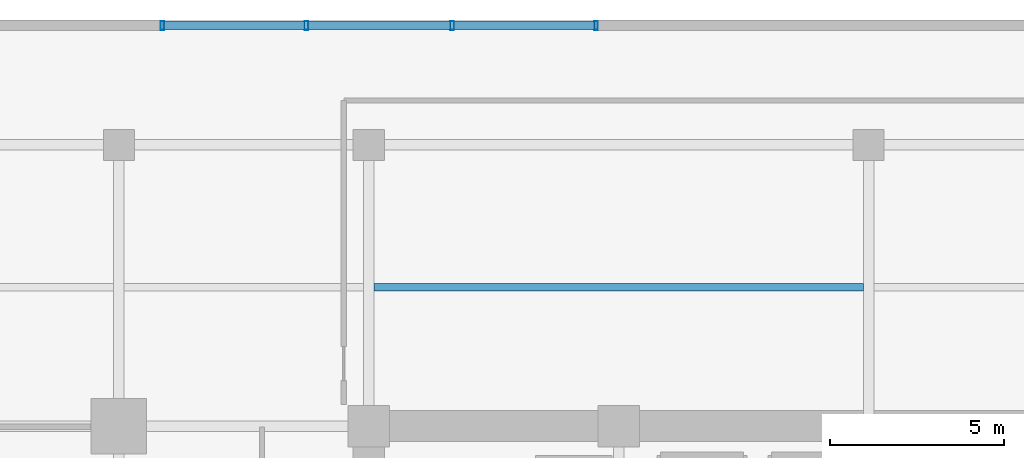
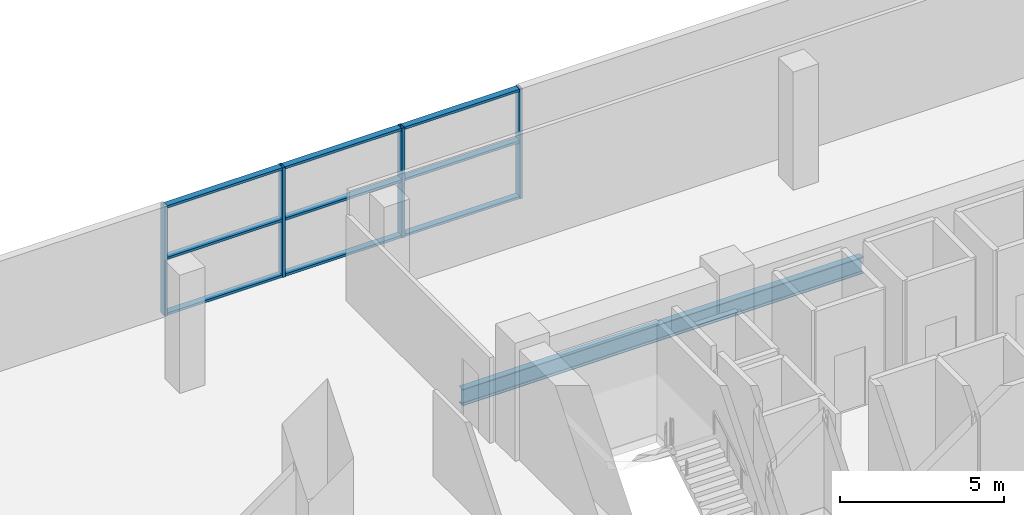
# One storey, part 8 of 21: 13 members, 1 beam, 1 element without a shape of its own.
"""IFC4 building model written with IfcOpenShell, lengths in metres."""

from ifc_helpers import new_model, si_unit, direction, frame, origin, origin_2d, place, context, subcontext, project, spatial, hollow_rectangle, i_section, extrude, source, transform, mapped, material, layer, layer_set, material_profile, profile_set, type_object, element, aggregate, save


model = new_model("IFC4")

# Units and contexts
model_context = context("Model", 3, precision=1e-05, world=origin(), true_north=direction((0.0, 1.0)))
body_context = subcontext(model_context, "Body", "Model", "MODEL_VIEW")
ifc_project = project(units=[si_unit("LENGTHUNIT", "METRE"), si_unit("AREAUNIT", "SQUARE_METRE"), si_unit("VOLUMEUNIT", "CUBIC_METRE"), si_unit("PLANEANGLEUNIT", "RADIAN"), si_unit("MASSUNIT", "GRAM", prefix="KILO")], contexts=[model_context])

# Site, building, storey
site_placement = place(None, origin())
site = spatial("IfcSite", under=ifc_project, at=site_placement, CompositionType="ELEMENT")
building_placement = place(site_placement, origin())
building = spatial("IfcBuilding", under=site, at=building_placement, Name="Zarnakvel Exchange Tower", CompositionType="ELEMENT")
storey_placement = place(building_placement, frame((0.0, 0.0, 5.0)))
storey = spatial("IfcBuildingStorey", under=building, at=storey_placement, Name="L01", CompositionType="ELEMENT", Elevation=5.0)

# Beam
ifc_material_1 = material(Name="Steel S355", Category="steel")
ifc_material_profile_1 = material_profile(ifc_material_1, i_section(OverallWidth=0.230224609375, OverallDepth=0.6171875, WebThickness=0.01318359375, FlangeThickness=0.022216796875, FilletRadius=0.0126953125, at=origin_2d()))
ifc_profile_set_1 = profile_set([ifc_material_profile_1], Name="Steel S355")
beam_type = type_object("IfcBeamType", Name="B-02", PredefinedType="JOIST", material=ifc_profile_set_1)
beam_placement = place(storey_placement, frame((-14.25, 17.5, -0.608642578125), z_axis=(1.0, 0.0, 0.0), x_axis=(0.0, 1.0, 0.0)))
element("IfcBeam", 1, at=beam_placement, inside=storey, type_object=beam_type, Name="L01 North Bay Secondary Floor Joist", PredefinedType="JOIST", context=body_context, shape_type="SweptSolid", body=[
    extrude(i_section(OverallWidth=0.230224609375, OverallDepth=0.6171875, WebThickness=0.01318359375, FlangeThickness=0.022216796875, FilletRadius=0.0126953125, at=origin_2d()), origin(), (0.0, 0.0, 1.0), 14.10009765625),
])

# Curtain wall, members
ifc_material_2 = material(Name="Architectural Bronze Anodised Aluminium", Category="aluminium")
ifc_layer = layer(ifc_material_2, 0.260009765625)
ifc_layer_set = layer_set([ifc_layer], Name="Architectural Bronze Anodised Aluminium")
curtain_wall_type = type_object("IfcCurtainWallType", Name="CW-01", PredefinedType="NOTDEFINED", material=ifc_layer_set)
curtain_wall_placement = place(storey_placement, origin())
curtain_wall = element("IfcCurtainWall", 2, at=curtain_wall_placement, inside=storey, type_object=curtain_wall_type, Name="L01 Curtain Wall CW-L01-N1 (CW-01)", PredefinedType="NOTDEFINED")
ifc_material_profile_2 = material_profile(ifc_material_2, hollow_rectangle(XDim=0.219970703125, YDim=0.090087890625, WallThickness=0.0048828125, at=origin_2d()))
ifc_profile_set_2 = profile_set([ifc_material_profile_2], Name="Architectural Bronze Anodised Aluminium")
member_type_1 = type_object("IfcMemberType", Name="CWT-01", PredefinedType="USERDEFINED", material=ifc_profile_set_2)
shared_shape_1 = source(origin(), body_context, "Body", "SweptSolid", [
    extrude(hollow_rectangle(XDim=0.219970703125, YDim=0.090087890625, WallThickness=0.0048828125, at=origin_2d()), origin(), (0.0, 0.0, 1.0), 4.050048828125),
])
member_1_placement = place(storey_placement, frame((-20.300048828125, 25.0400390625, 0.044921875), z_axis=(1.0, 0.0, 0.0), x_axis=(0.0, 1.0, 0.0)))
member_1 = element("IfcMember", 3, at=member_1_placement, type_object=member_type_1, Name="CW-01 transom 1.1", ObjectType="TRANSOM", PredefinedType="USERDEFINED", context=body_context, shape_type="MappedRepresentation", body=[
    mapped(shared_shape_1, transform((0.0, 0.0, 0.0), x_axis=(1.0, 0.0, 0.0), y_axis=(0.0, 1.0, 0.0), z_axis=(0.0, 0.0, 1.0), scale=1.0)),
])
member_2_placement = place(storey_placement, frame((-20.300048828125, 25.0400390625, 2.12158203125), z_axis=(1.0, 0.0, 0.0), x_axis=(0.0, 1.0, 0.0)))
member_2 = element("IfcMember", 4, at=member_2_placement, type_object=member_type_1, Name="CW-01 transom 1.2", ObjectType="TRANSOM", PredefinedType="USERDEFINED", context=body_context, shape_type="MappedRepresentation", body=[
    mapped(shared_shape_1, transform((0.0, 0.0, 0.0), x_axis=(1.0, 0.0, 0.0), y_axis=(0.0, 1.0, 0.0), z_axis=(0.0, 0.0, 1.0), scale=1.0)),
])
member_3_placement = place(storey_placement, frame((-20.300048828125, 25.0400390625, 4.034912109375), z_axis=(1.0, 0.0, 0.0), x_axis=(0.0, 1.0, 0.0)))
member_3 = element("IfcMember", 5, at=member_3_placement, type_object=member_type_1, Name="CW-01 transom 1.3", ObjectType="TRANSOM", PredefinedType="USERDEFINED", context=body_context, shape_type="MappedRepresentation", body=[
    mapped(shared_shape_1, transform((0.0, 0.0, 0.0), x_axis=(1.0, 0.0, 0.0), y_axis=(0.0, 1.0, 0.0), z_axis=(0.0, 0.0, 1.0), scale=1.0)),
])
member_4_placement = place(storey_placement, frame((-11.949951171875, 25.0400390625, 0.044921875), z_axis=(1.0, 0.0, 0.0), x_axis=(0.0, 1.0, 0.0)))
member_4 = element("IfcMember", 6, at=member_4_placement, type_object=member_type_1, Name="CW-01 transom 3.1", ObjectType="TRANSOM", PredefinedType="USERDEFINED", context=body_context, shape_type="MappedRepresentation", body=[
    mapped(shared_shape_1, transform((0.0, 0.0, 0.0), x_axis=(1.0, 0.0, 0.0), y_axis=(0.0, 1.0, 0.0), z_axis=(0.0, 0.0, 1.0), scale=1.0)),
])
member_5_placement = place(storey_placement, frame((-11.949951171875, 25.0400390625, 2.12158203125), z_axis=(1.0, 0.0, 0.0), x_axis=(0.0, 1.0, 0.0)))
member_5 = element("IfcMember", 7, at=member_5_placement, type_object=member_type_1, Name="CW-01 transom 3.2", ObjectType="TRANSOM", PredefinedType="USERDEFINED", context=body_context, shape_type="MappedRepresentation", body=[
    mapped(shared_shape_1, transform((0.0, 0.0, 0.0), x_axis=(1.0, 0.0, 0.0), y_axis=(0.0, 1.0, 0.0), z_axis=(0.0, 0.0, 1.0), scale=1.0)),
])
member_6_placement = place(storey_placement, frame((-11.949951171875, 25.0400390625, 4.034912109375), z_axis=(1.0, 0.0, 0.0), x_axis=(0.0, 1.0, 0.0)))
member_6 = element("IfcMember", 8, at=member_6_placement, type_object=member_type_1, Name="CW-01 transom 3.3", ObjectType="TRANSOM", PredefinedType="USERDEFINED", context=body_context, shape_type="MappedRepresentation", body=[
    mapped(shared_shape_1, transform((0.0, 0.0, 0.0), x_axis=(1.0, 0.0, 0.0), y_axis=(0.0, 1.0, 0.0), z_axis=(0.0, 0.0, 1.0), scale=1.0)),
])
shared_shape_2 = source(origin(), body_context, "Body", "SweptSolid", [
    extrude(hollow_rectangle(XDim=0.219970703125, YDim=0.090087890625, WallThickness=0.0048828125, at=origin_2d()), origin(), (0.0, 0.0, 1.0), 4.099853515625),
])
member_7_placement = place(storey_placement, frame((-16.14990234375, 25.0400390625, 0.044921875), z_axis=(1.0, 0.0, 0.0), x_axis=(0.0, 1.0, 0.0)))
member_7 = element("IfcMember", 9, at=member_7_placement, type_object=member_type_1, Name="CW-01 transom 2.1", ObjectType="TRANSOM", PredefinedType="USERDEFINED", context=body_context, shape_type="MappedRepresentation", body=[
    mapped(shared_shape_2, transform((0.0, 0.0, 0.0), x_axis=(1.0, 0.0, 0.0), y_axis=(0.0, 1.0, 0.0), z_axis=(0.0, 0.0, 1.0), scale=1.0)),
])
member_8_placement = place(storey_placement, frame((-16.14990234375, 25.0400390625, 2.12158203125), z_axis=(1.0, 0.0, 0.0), x_axis=(0.0, 1.0, 0.0)))
member_8 = element("IfcMember", 10, at=member_8_placement, type_object=member_type_1, Name="CW-01 transom 2.2", ObjectType="TRANSOM", PredefinedType="USERDEFINED", context=body_context, shape_type="MappedRepresentation", body=[
    mapped(shared_shape_2, transform((0.0, 0.0, 0.0), x_axis=(1.0, 0.0, 0.0), y_axis=(0.0, 1.0, 0.0), z_axis=(0.0, 0.0, 1.0), scale=1.0)),
])
member_9_placement = place(storey_placement, frame((-16.14990234375, 25.0400390625, 4.034912109375), z_axis=(1.0, 0.0, 0.0), x_axis=(0.0, 1.0, 0.0)))
member_9 = element("IfcMember", 11, at=member_9_placement, type_object=member_type_1, Name="CW-01 transom 2.3", ObjectType="TRANSOM", PredefinedType="USERDEFINED", context=body_context, shape_type="MappedRepresentation", body=[
    mapped(shared_shape_2, transform((0.0, 0.0, 0.0), x_axis=(1.0, 0.0, 0.0), y_axis=(0.0, 1.0, 0.0), z_axis=(0.0, 0.0, 1.0), scale=1.0)),
])
ifc_material_profile_3 = material_profile(ifc_material_2, hollow_rectangle(XDim=0.260009765625, YDim=0.10009765625, WallThickness=0.006103515625, at=origin_2d()))
ifc_profile_set_3 = profile_set([ifc_material_profile_3], Name="Architectural Bronze Anodised Aluminium")
member_type_2 = type_object("IfcMemberType", Name="CWM-01", PredefinedType="MULLION", material=ifc_profile_set_3)
shared_shape_3 = source(origin(), body_context, "Body", "SweptSolid", [
    extrude(hollow_rectangle(XDim=0.260009765625, YDim=0.10009765625, WallThickness=0.006103515625, at=origin_2d()), origin(), (0.0, 0.0, 1.0), 4.080078125),
])
member_10_placement = place(storey_placement, frame((-20.35009765625, 25.0400390625, 0.0), z_axis=(0.0, 0.0, 1.0), x_axis=(0.0, 1.0, 0.0)))
member_10 = element("IfcMember", 12, at=member_10_placement, type_object=member_type_2, Name="CW-01 mullion 1", PredefinedType="MULLION", context=body_context, shape_type="MappedRepresentation", body=[
    mapped(shared_shape_3, transform((0.0, 0.0, 0.0), x_axis=(1.0, 0.0, 0.0), y_axis=(0.0, 1.0, 0.0), z_axis=(0.0, 0.0, 1.0), scale=1.0)),
])
member_11_placement = place(storey_placement, frame((-16.199951171875, 25.0400390625, 0.0), z_axis=(0.0, 0.0, 1.0), x_axis=(0.0, 1.0, 0.0)))
member_11 = element("IfcMember", 13, at=member_11_placement, type_object=member_type_2, Name="CW-01 mullion 2", PredefinedType="MULLION", context=body_context, shape_type="MappedRepresentation", body=[
    mapped(shared_shape_3, transform((0.0, 0.0, 0.0), x_axis=(1.0, 0.0, 0.0), y_axis=(0.0, 1.0, 0.0), z_axis=(0.0, 0.0, 1.0), scale=1.0)),
])
member_12_placement = place(storey_placement, frame((-12.0, 25.0400390625, 0.0), z_axis=(0.0, 0.0, 1.0), x_axis=(0.0, 1.0, 0.0)))
member_12 = element("IfcMember", 14, at=member_12_placement, type_object=member_type_2, Name="CW-01 mullion 3", PredefinedType="MULLION", context=body_context, shape_type="MappedRepresentation", body=[
    mapped(shared_shape_3, transform((0.0, 0.0, 0.0), x_axis=(1.0, 0.0, 0.0), y_axis=(0.0, 1.0, 0.0), z_axis=(0.0, 0.0, 1.0), scale=1.0)),
])
member_13_placement = place(storey_placement, frame((-7.85009765625, 25.0400390625, 0.0), z_axis=(0.0, 0.0, 1.0), x_axis=(0.0, 1.0, 0.0)))
member_13 = element("IfcMember", 15, at=member_13_placement, type_object=member_type_2, Name="CW-01 mullion 4", PredefinedType="MULLION", context=body_context, shape_type="MappedRepresentation", body=[
    mapped(shared_shape_3, transform((0.0, 0.0, 0.0), x_axis=(1.0, 0.0, 0.0), y_axis=(0.0, 1.0, 0.0), z_axis=(0.0, 0.0, 1.0), scale=1.0)),
])
aggregate(curtain_wall, [member_10, member_11, member_12, member_13, member_1, member_2, member_3, member_7, member_8, member_9, member_4, member_5, member_6])

save(model, "model.ifc")
